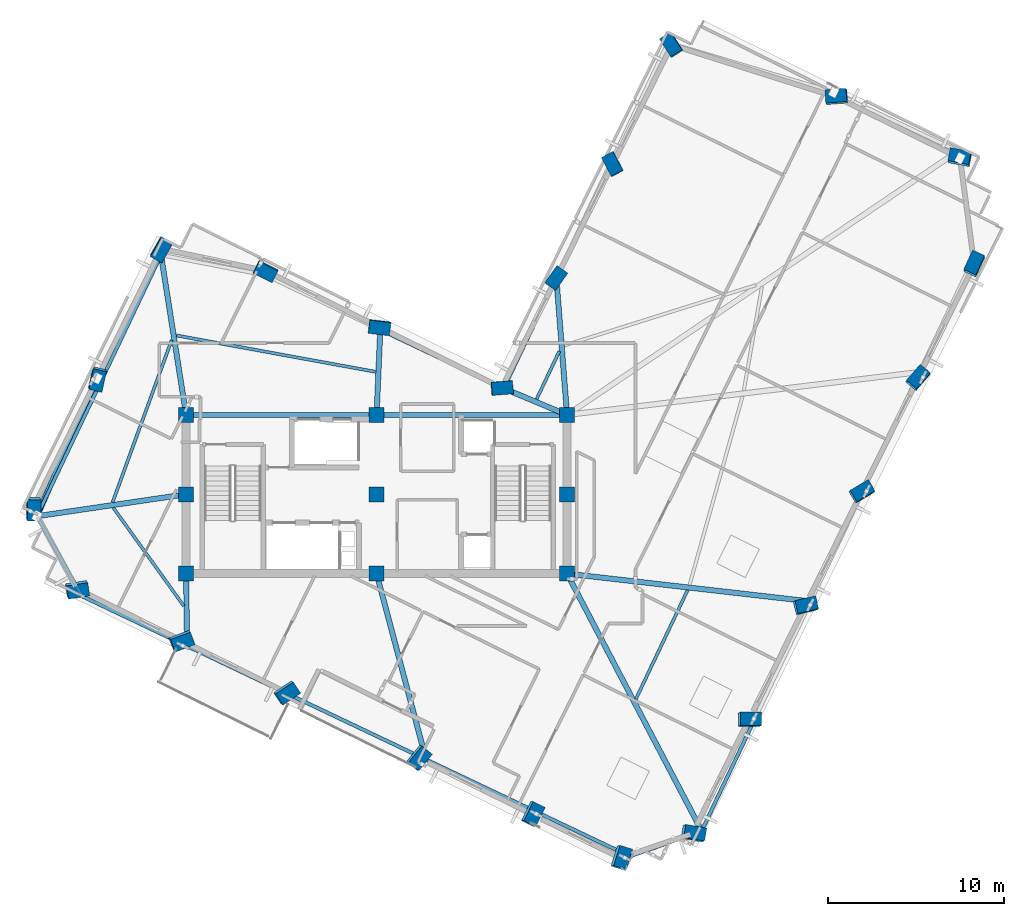
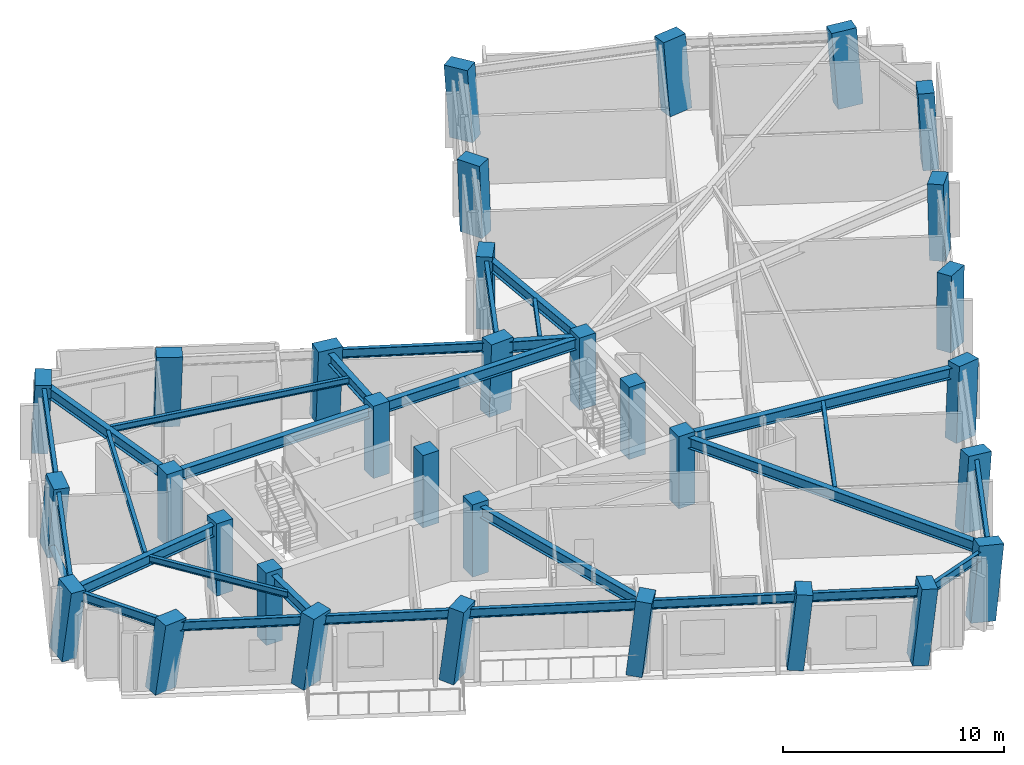
# One storey, part 1 of 11: 32 columns, 28 beams, 1 member.
"""IFC4 building model written with IfcOpenShell, lengths in metres."""

from ifc_helpers import new_model, si_unit, direction, frame, origin, origin_2d, place, context, subcontext, project, spatial, rectangle, hollow_circle, i_section, extrude, material, material_profile, profile_set, type_object, element, save


model = new_model("IFC4")

# Units and contexts
model_context = context("Model", 3, precision=1e-05, world=origin(), true_north=direction((0.0, 1.0)))
body_context = subcontext(model_context, "Body", "Model", "MODEL_VIEW")
ifc_project = project(units=[si_unit("LENGTHUNIT", "METRE"), si_unit("AREAUNIT", "SQUARE_METRE"), si_unit("VOLUMEUNIT", "CUBIC_METRE"), si_unit("PLANEANGLEUNIT", "RADIAN"), si_unit("MASSUNIT", "GRAM", prefix="KILO")], contexts=[model_context])

# Site, building, storey
site_placement = place(None, origin())
site = spatial("IfcSite", under=ifc_project, at=site_placement, CompositionType="ELEMENT")
building_placement = place(site_placement, origin())
building = spatial("IfcBuilding", under=site, at=building_placement, Name="Gaonmaruhae Medical Tower", CompositionType="ELEMENT")
storey_placement = place(building_placement, frame((0.0, 0.0, 296.60009765625)))
storey = spatial("IfcBuildingStorey", under=building, at=storey_placement, Name="L71", CompositionType="ELEMENT", Elevation=296.60009765625)

# Columns
ifc_material_1 = material(Name="Concrete C50/60", Category="concrete")
ifc_material_profile_1 = material_profile(ifc_material_1, rectangle(XDim=0.85009765625, YDim=0.85009765625, at=origin_2d()), Name="RC-850x850")
ifc_profile_set_1 = profile_set([ifc_material_profile_1], Name="Concrete C50/60")
column_type_1 = type_object("IfcColumnType", Name="CC-06 Upper Core Column (RC-850x850)", PredefinedType="COLUMN", material=ifc_profile_set_1)
for number, where, z_axis, x_axis, name in (
    (1, (14.0, 7.800048828125, 0.0), (0.0, 0.0, 1.0), (1.0, 0.0, 0.0), "L71 Plumb Core Column CC11"),
    (2, (14.0, 12.300048828125, 0.0), (0.0, 0.0, 1.0), (1.0, 0.0, 0.0), "L71 Plumb Core Column CC12"),
    (3, (14.0, 16.800048828125, 0.0), (0.0, 0.0, 1.0), (1.0, 0.0, 0.0), "L71 Plumb Core Column CC13"),
    (4, (24.800048828125, 7.800048828125, 0.0), (0.0, 0.0, 1.0), (1.0, 0.0, 0.0), "L71 Plumb Core Column CC21"),
    (5, (24.800048828125, 12.300048828125, 0.0), (0.0, 0.0, 1.0), (1.0, 0.0, 0.0), "L71 Plumb Core Column CC22"),
    (6, (24.800048828125, 16.800048828125, 0.0), (0.0, 0.0, 1.0), (1.0, 0.0, 0.0), "L71 Plumb Core Column CC23"),
    (7, (35.60009765625, 7.800048828125, 0.0), (0.0, 0.0, 1.0), (1.0, 0.0, 0.0), "L71 Plumb Core Column CC31"),
    (8, (35.60009765625, 12.300048828125, 0.0), (0.0, 0.0, 1.0), (1.0, 0.0, 0.0), "L71 Plumb Core Column CC32"),
    (9, (35.60009765625, 16.800048828125, 0.0), (0.0, 0.0, 1.0), (1.0, 0.0, 0.0), "L71 Plumb Core Column CC33"),
):
    element("IfcColumn", number, at=place(storey_placement, frame(where, z_axis=z_axis, x_axis=x_axis)), inside=storey, type_object=column_type_1, Name=name, PredefinedType="COLUMN", context=body_context, shape_type="SweptSolid", body=[
        extrude(rectangle(XDim=0.85009765625, YDim=0.85009765625, at=origin_2d()), origin(), (0.0, 0.0, 1.0), 4.0),
    ])
ifc_material_profile_2 = material_profile(ifc_material_1, rectangle(XDim=1.199951171875, YDim=0.75, at=origin_2d()), Name="RC-1200x750")
ifc_profile_set_2 = profile_set([ifc_material_profile_2], Name="Concrete C50/60")
column_type_2 = type_object("IfcColumnType", Name="TC-03 Upper Raking Tube Pier Column (RC-1200x750)", PredefinedType="COLUMN", material=ifc_profile_set_2)
column_1_placement = place(storey_placement, frame((42.70849609375, -6.9404296875, 0.001708984375), z_axis=(0.130011789179, 0.038495110762, 0.990764886904), x_axis=(-0.977304404482, 0.173531270067, 0.121503083454)))
element("IfcColumn", 10, at=column_1_placement, inside=storey, type_object=column_type_2, Name="L71 Perimeter Tube Column S01", PredefinedType="COLUMN", context=body_context, shape_type="SweptSolid", body=[
    extrude(rectangle(XDim=1.199951171875, YDim=0.75, at=origin_2d()), origin(), (0.0, 0.0, 1.0), 4.03369140625),
])
column_2_placement = place(storey_placement, frame((45.904052734375, -0.488525390625, 0.001708984375), z_axis=(0.103702364506, 0.051517441466, 0.993273261908), x_axis=(-0.994600926073, 0.001506385232, 0.103762848164)))
element("IfcColumn", 11, at=column_2_placement, inside=storey, type_object=column_type_2, Name="L71 Perimeter Tube Column S02", PredefinedType="COLUMN", context=body_context, shape_type="SweptSolid", body=[
    extrude(rectangle(XDim=1.199951171875, YDim=0.75, at=origin_2d()), origin(), (0.0, 0.0, 1.0), 4.0234375),
])
column_3_placement = place(storey_placement, frame((49.099853515625, 5.96337890625, 0.001708984375), z_axis=(0.077131475637, 0.064549745568, 0.99492917628), x_axis=(-0.968577719941, -0.231806306973, 0.090127889585)))
element("IfcColumn", 12, at=column_3_placement, inside=storey, type_object=column_type_2, Name="L71 Perimeter Tube Column S03", PredefinedType="COLUMN", context=body_context, shape_type="SweptSolid", body=[
    extrude(rectangle(XDim=1.199951171875, YDim=0.75, at=origin_2d()), origin(), (0.0, 0.0, 1.0), 4.0166015625),
])
column_4_placement = place(storey_placement, frame((52.29541015625, 12.415283203125, 0.001708984375), z_axis=(0.050487772737, 0.077617347004, 0.995704038481), x_axis=(-0.858579021169, -0.505922543013, 0.082972554979)))
element("IfcColumn", 13, at=column_4_placement, inside=storey, type_object=column_type_2, Name="L71 Perimeter Tube Column S04", PredefinedType="COLUMN", context=body_context, shape_type="SweptSolid", body=[
    extrude(rectangle(XDim=1.199951171875, YDim=0.75, at=origin_2d()), origin(), (0.0, 0.0, 1.0), 4.013671875),
])
column_5_placement = place(storey_placement, frame((55.4912109375, 18.8671875, 0.001708984375), z_axis=(0.023720882044, 0.09056511119, 0.995607995343), x_axis=(-0.655420706242, -0.750590220305, 0.083892902038)))
element("IfcColumn", 14, at=column_5_placement, inside=storey, type_object=column_type_2, Name="L71 Perimeter Tube Column S05", PredefinedType="COLUMN", context=body_context, shape_type="SweptSolid", body=[
    extrude(rectangle(XDim=1.199951171875, YDim=0.75, at=origin_2d()), origin(), (0.0, 0.0, 1.0), 4.013916015625),
])
column_6_placement = place(storey_placement, frame((58.68701171875, 25.319091796875, 0.001708984375), z_axis=(-0.003038161274, 0.103419009772, 0.994633237929), x_axis=(-0.417489626034, -0.903939479428, 0.092713697397)))
element("IfcColumn", 15, at=column_6_placement, inside=storey, type_object=column_type_2, Name="L71 Perimeter Tube Column S06", PredefinedType="COLUMN", context=body_context, shape_type="SweptSolid", body=[
    extrude(rectangle(XDim=1.199951171875, YDim=0.75, at=origin_2d()), origin(), (0.0, 0.0, 1.0), 4.017822265625),
])
column_7_placement = place(storey_placement, frame((57.881591796875, 31.353515625, 0.001708984375), z_axis=(-0.027828879342, 0.099892309253, 0.994609008619), x_axis=(0.981701438256, -0.184780676822, 0.04602594486)))
element("IfcColumn", 16, at=column_7_placement, inside=storey, type_object=column_type_2, Name="L71 Perimeter Tube Column E01", PredefinedType="COLUMN", context=body_context, shape_type="SweptSolid", body=[
    extrude(rectangle(XDim=1.199951171875, YDim=0.75, at=origin_2d()), origin(), (0.0, 0.0, 1.0), 4.01806640625),
])
column_8_placement = place(storey_placement, frame((50.89208984375, 34.815673828125, 0.001708984375), z_axis=(-0.042009013687, 0.071050027497, 0.996587746444), x_axis=(0.996486966579, 0.075309705799, 0.036635688208)))
element("IfcColumn", 17, at=column_8_placement, inside=storey, type_object=column_type_2, Name="L71 Perimeter Tube Column E02", PredefinedType="COLUMN", context=body_context, shape_type="SweptSolid", body=[
    extrude(rectangle(XDim=1.199951171875, YDim=0.75, at=origin_2d()), origin(), (0.0, 0.0, 1.0), 4.010009765625),
])
column_9_placement = place(storey_placement, frame((41.533935546875, 37.77685546875, 0.001708984375), z_axis=(-0.05395846489, 0.032375078934, 0.99801820541), x_axis=(0.538515452043, -0.840726782347, 0.056387812113)))
element("IfcColumn", 18, at=column_9_placement, inside=storey, type_object=column_type_2, Name="L71 Perimeter Tube Column E03", PredefinedType="COLUMN", context=body_context, shape_type="SweptSolid", body=[
    extrude(rectangle(XDim=1.199951171875, YDim=0.75, at=origin_2d()), origin(), (0.0, 0.0, 1.0), 4.00439453125),
])
column_10_placement = place(storey_placement, frame((38.182861328125, 31.01123046875, 0.001708984375), z_axis=(-0.025889385725, 0.018745380702, 0.999489044667), x_axis=(0.465140692043, -0.884773280513, 0.028642253683)))
element("IfcColumn", 19, at=column_10_placement, inside=storey, type_object=column_type_2, Name="L71 Perimeter Tube Column EN01", PredefinedType="COLUMN", context=body_context, shape_type="SweptSolid", body=[
    extrude(rectangle(XDim=1.199951171875, YDim=0.75, at=origin_2d()), origin(), (0.0, 0.0, 1.0), 3.998291015625),
])
column_11_placement = place(storey_placement, frame((34.9873046875, 24.559326171875, 0.001708984375), z_axis=(0.000916350808, 0.005742465065, 0.999983092055), x_axis=(-0.579513539705, -0.814945951315, 0.005210924462)))
element("IfcColumn", 20, at=column_11_placement, inside=storey, type_object=column_type_2, Name="L71 Perimeter Tube Column EN02", PredefinedType="COLUMN", context=body_context, shape_type="SweptSolid", body=[
    extrude(rectangle(XDim=1.199951171875, YDim=0.75, at=origin_2d()), origin(), (0.0, 0.0, 1.0), 3.996337890625),
])
column_12_placement = place(storey_placement, frame((31.902587890625, 18.331298828125, 0.001708984375), z_axis=(0.02686975518, -0.00677850642, 0.99961596031), x_axis=(-0.996576464589, -0.078396106745, 0.026256440624)))
element("IfcColumn", 21, at=column_12_placement, inside=storey, type_object=column_type_2, Name="L71 Perimeter Tube Column KN01", PredefinedType="COLUMN", context=body_context, shape_type="SweptSolid", body=[
    extrude(rectangle(XDim=1.199951171875, YDim=0.75, at=origin_2d()), origin(), (0.0, 0.0, 1.0), 3.997802734375),
])
column_13_placement = place(storey_placement, frame((24.957763671875, 21.771240234375, 0.001708984375), z_axis=(0.012819889626, -0.035712549673, 0.999279872821), x_axis=(-0.993258426214, 0.114691161203, 0.016841505212)))
element("IfcColumn", 22, at=column_13_placement, inside=storey, type_object=column_type_2, Name="L71 Perimeter Tube Column NE01", PredefinedType="COLUMN", context=body_context, shape_type="SweptSolid", body=[
    extrude(rectangle(XDim=1.199951171875, YDim=0.75, at=origin_2d()), origin(), (0.0, 0.0, 1.0), 3.999267578125),
])
column_14_placement = place(storey_placement, frame((18.505859375, 24.966796875, 0.001708984375), z_axis=(-0.000182915695, -0.062435223748, 0.998049001491), x_axis=(-0.894797781835, 0.445610775748, 0.027712202396)))
element("IfcColumn", 23, at=column_14_placement, inside=storey, type_object=column_type_2, Name="L71 Perimeter Tube Column NE02", PredefinedType="COLUMN", context=body_context, shape_type="SweptSolid", body=[
    extrude(rectangle(XDim=1.199951171875, YDim=0.75, at=origin_2d()), origin(), (0.0, 0.0, 1.0), 4.004150390625),
])
column_15_placement = place(storey_placement, frame((12.597900390625, 26.21923828125, 0.001708984375), z_axis=(-0.005173080286, -0.086786029269, 0.996213543556), x_axis=(0.496184468369, 0.864714681818, 0.077906947039)))
element("IfcColumn", 24, at=column_15_placement, inside=storey, type_object=column_type_2, Name="L71 Perimeter Tube Column N01", PredefinedType="COLUMN", context=body_context, shape_type="SweptSolid", body=[
    extrude(rectangle(XDim=1.199951171875, YDim=0.75, at=origin_2d()), origin(), (0.0, 0.0, 1.0), 4.011474609375),
])
column_16_placement = place(storey_placement, frame((8.958251953125, 18.87109375, 0.001708984375), z_axis=(0.025274890119, -0.101342588264, 0.994530471998), x_axis=(0.215002324818, 0.972118317881, 0.093594745379)))
element("IfcColumn", 25, at=column_16_placement, inside=storey, type_object=column_type_2, Name="L71 Perimeter Tube Column N02", PredefinedType="COLUMN", context=body_context, shape_type="SweptSolid", body=[
    extrude(rectangle(XDim=1.199951171875, YDim=0.75, at=origin_2d()), origin(), (0.0, 0.0, 1.0), 4.018310546875),
])
column_17_placement = place(storey_placement, frame((5.31884765625, 11.523193359375, 0.001708984375), z_axis=(0.055495895792, -0.115838594711, 0.991716504615), x_axis=(0.016329389577, 0.993219639366, 0.115100386683)))
element("IfcColumn", 26, at=column_17_placement, inside=storey, type_object=column_type_2, Name="L71 Perimeter Tube Column N03", PredefinedType="COLUMN", context=body_context, shape_type="SweptSolid", body=[
    extrude(rectangle(XDim=1.199951171875, YDim=0.75, at=origin_2d()), origin(), (0.0, 0.0, 1.0), 4.02978515625),
])
column_18_placement = place(storey_placement, frame((7.795654296875, 6.948486328125, 0.001708984375), z_axis=(0.074271893377, -0.105470935048, 0.991644879841), x_axis=(-0.986085355278, -0.156068608099, 0.057256105985)))
element("IfcColumn", 27, at=column_18_placement, inside=storey, type_object=column_type_2, Name="L71 Perimeter Tube Column W01", PredefinedType="COLUMN", context=body_context, shape_type="SweptSolid", body=[
    extrude(rectangle(XDim=1.199951171875, YDim=0.75, at=origin_2d()), origin(), (0.0, 0.0, 1.0), 4.030029296875),
])
column_19_placement = place(storey_placement, frame((13.7099609375, 4.01904296875, 0.001708984375), z_axis=(0.086199825799, -0.081164930977, 0.992966184727), x_axis=(-0.935172397804, -0.350272648593, 0.052551479838)))
element("IfcColumn", 28, at=column_19_placement, inside=storey, type_object=column_type_2, Name="L71 Perimeter Tube Column W02", PredefinedType="COLUMN", context=body_context, shape_type="SweptSolid", body=[
    extrude(rectangle(XDim=1.199951171875, YDim=0.75, at=origin_2d()), origin(), (0.0, 0.0, 1.0), 4.024658203125),
])
column_20_placement = place(storey_placement, frame((19.6689453125, 1.0673828125, 0.001708984375), z_axis=(0.098208825475, -0.056509528132, 0.993560113848), x_axis=(-0.829149129966, -0.55676072121, 0.05029134711)))
element("IfcColumn", 29, at=column_20_placement, inside=storey, type_object=column_type_2, Name="L71 Perimeter Tube Column W03", PredefinedType="COLUMN", context=body_context, shape_type="SweptSolid", body=[
    extrude(rectangle(XDim=1.199951171875, YDim=0.75, at=origin_2d()), origin(), (0.0, 0.0, 1.0), 4.022216796875),
])
column_21_placement = place(storey_placement, frame((27.1513671875, -2.638671875, 0.001708984375), z_axis=(0.113225278577, -0.02560614553, 0.993239327454), x_axis=(-0.627656906058, -0.776783128908, 0.051524546784)))
element("IfcColumn", 30, at=column_21_placement, inside=storey, type_object=column_type_2, Name="L71 Perimeter Tube Column W04", PredefinedType="COLUMN", context=body_context, shape_type="SweptSolid", body=[
    extrude(rectangle(XDim=1.199951171875, YDim=0.75, at=origin_2d()), origin(), (0.0, 0.0, 1.0), 4.0234375),
])
column_22_placement = place(storey_placement, frame((33.603515625, -5.834228515625, 0.001708984375), z_axis=(0.125936495005, 0.001030279314, 0.992037770325), x_axis=(-0.432973864301, -0.899671557613, 0.055899206213)))
element("IfcColumn", 31, at=column_22_placement, inside=storey, type_object=column_type_2, Name="L71 Perimeter Tube Column W05", PredefinedType="COLUMN", context=body_context, shape_type="SweptSolid", body=[
    extrude(rectangle(XDim=1.199951171875, YDim=0.75, at=origin_2d()), origin(), (0.0, 0.0, 1.0), 4.0283203125),
])
column_23_placement = place(storey_placement, frame((38.62158203125, -8.31982421875, 0.001708984375), z_axis=(0.13578605849, 0.02172334893, 0.990499996179), x_axis=(-0.292556572879, -0.954298338964, 0.061035497173)))
element("IfcColumn", 32, at=column_23_placement, inside=storey, type_object=column_type_2, Name="L71 Perimeter Tube Column W06", PredefinedType="COLUMN", context=body_context, shape_type="SweptSolid", body=[
    extrude(rectangle(XDim=1.199951171875, YDim=0.75, at=origin_2d()), origin(), (0.0, 0.0, 1.0), 4.03466796875),
])

# Beams
ifc_material_2 = material(Name="Steel SM355", Category="steel")
ifc_material_profile_3 = material_profile(ifc_material_2, i_section(OverallWidth=0.175048828125, OverallDepth=0.35009765625, WebThickness=0.007080078125, FlangeThickness=0.010986328125, FilletRadius=0.012939453125, at=origin_2d()), Name="H-350x175x7x11")
ifc_profile_set_3 = profile_set([ifc_material_profile_3], Name="Steel SM355")
beam_type_1 = type_object("IfcBeamType", Name="FJ-02 Upper Zone Ward Floor Joist (H-350x175x7x11)", PredefinedType="JOIST", material=ifc_profile_set_3)
beam_1_placement = place(storey_placement, frame((39.499755859375, 0.682373046875, 3.60498046875), z_axis=(0.428922153048, 0.903341456275, 0.0), x_axis=(-0.903341456275, 0.428922153048, 0.0)))
element("IfcBeam", 33, at=beam_1_placement, inside=storey, type_object=beam_type_1, Name="L71 Secondary Floor Joist FJ01", PredefinedType="JOIST", context=body_context, shape_type="SweptSolid", body=[
    extrude(i_section(OverallWidth=0.175048828125, OverallDepth=0.35009765625, WebThickness=0.007080078125, FlangeThickness=0.010986328125, FilletRadius=0.012939453125, at=origin_2d()), origin(), (0.0, 0.0, 1.0), 6.841796875),
])
beam_2_placement = place(storey_placement, frame((35.163818359375, 20.413818359375, 3.60498046875), z_axis=(-0.428898073942, -0.903352889058, 0.0), x_axis=(0.903352889058, -0.428898073942, 0.0)))
element("IfcBeam", 34, at=beam_2_placement, inside=storey, type_object=beam_type_1, Name="L71 Secondary Floor Joist FJ05", PredefinedType="JOIST", context=body_context, shape_type="SweptSolid", body=[
    extrude(i_section(OverallWidth=0.175048828125, OverallDepth=0.35009765625, WebThickness=0.007080078125, FlangeThickness=0.010986328125, FilletRadius=0.012939453125, at=origin_2d()), origin(), (0.0, 0.0, 1.0), 3.01171875),
])
beam_3_placement = place(storey_placement, frame((24.749755859375, 19.242431640625, 3.60498046875), z_axis=(-0.983729488464, 0.179656042275, 0.0), x_axis=(-0.179656042275, -0.983729488464, 0.0)))
element("IfcBeam", 35, at=beam_3_placement, inside=storey, type_object=beam_type_1, Name="L71 Secondary Floor Joist FJ07", PredefinedType="JOIST", context=body_context, shape_type="SweptSolid", body=[
    extrude(i_section(OverallWidth=0.175048828125, OverallDepth=0.35009765625, WebThickness=0.007080078125, FlangeThickness=0.010986328125, FilletRadius=0.012939453125, at=origin_2d()), origin(), (0.0, 0.0, 1.0), 11.485595703125),
])
beam_4_placement = place(storey_placement, frame((13.180419921875, 21.03857421875, 3.60498046875), z_axis=(-0.342207774616, -0.939624307366, 0.0), x_axis=(0.939624307366, -0.342207774616, 0.0)))
element("IfcBeam", 36, at=beam_4_placement, inside=storey, type_object=beam_type_1, Name="L71 Secondary Floor Joist FJ08", PredefinedType="JOIST", context=body_context, shape_type="SweptSolid", body=[
    extrude(i_section(OverallWidth=0.175048828125, OverallDepth=0.35009765625, WebThickness=0.007080078125, FlangeThickness=0.010986328125, FilletRadius=0.012939453125, at=origin_2d()), origin(), (0.0, 0.0, 1.0), 9.785400390625),
])
beam_5_placement = place(storey_placement, frame((9.873291015625, 11.5361328125, 3.60498046875), z_axis=(0.583048367827, -0.812437444222, 0.0), x_axis=(0.812437444222, 0.583048367827, 0.0)))
element("IfcBeam", 37, at=beam_5_placement, inside=storey, type_object=beam_type_1, Name="L71 Secondary Floor Joist FJ09", PredefinedType="JOIST", context=body_context, shape_type="SweptSolid", body=[
    extrude(i_section(OverallWidth=0.175048828125, OverallDepth=0.35009765625, WebThickness=0.007080078125, FlangeThickness=0.010986328125, FilletRadius=0.012939453125, at=origin_2d()), origin(), (0.0, 0.0, 1.0), 6.8583984375),
])

# Member
ifc_material_profile_4 = material_profile(ifc_material_2, hollow_circle(Radius=0.1591796875, WallThickness=0.01025390625, at=origin_2d()), Name="CHS-318.5x10.3")
ifc_profile_set_4 = profile_set([ifc_material_profile_4], Name="Steel SM355")
member_type = type_object("IfcMemberType", Name="PB-03 Perimeter Solid-Bay Tube Brace Upper (CHS-318.5x10.3)", PredefinedType="BRACE", material=ifc_profile_set_4)
member_placement = place(storey_placement, frame((8.958251953125, 18.871337890625, 0.25), z_axis=(-0.373778810347, -0.855256147106, 0.358923841187), x_axis=(0.916312966684, -0.400462915995, 0.0)))
element("IfcMember", 38, at=member_placement, inside=storey, type_object=member_type, Name="L71 Perimeter Tube Solid-Bay Brace N02-N03", PredefinedType="BRACE", context=body_context, shape_type="SweptSolid", body=[
    extrude(hollow_circle(Radius=0.1591796875, WallThickness=0.01025390625, at=origin_2d()), origin(), (0.0, 0.0, 1.0), 9.137939453125),
])

# Beams
ifc_material_3 = material(Name="Steel SM420", Category="steel")
ifc_material_profile_5 = material_profile(ifc_material_3, i_section(OverallWidth=0.300048828125, OverallDepth=0.60009765625, WebThickness=0.011962890625, FlangeThickness=0.02001953125, FilletRadius=0.012939453125, at=origin_2d()), Name="H-600x300x12x20")
ifc_profile_set_5 = profile_set([ifc_material_profile_5], Name="Steel SM420")
beam_type_2 = type_object("IfcBeamType", Name="PG-04 Zone 4 Radial Floor Girder (H-600x300x12x20)", PredefinedType="BEAM", material=ifc_profile_set_5)
for number, where, z_axis, x_axis, name in (
    (39, (14.050048828125, 16.800048828125, 3.47998046875), (1.0, 0.0, 0.0), (0.0, 1.0, 0.0), "L71 Beam BM-L71-CG-N1"),
    (40, (24.85009765625, 16.800048828125, 3.47998046875), (1.0, 0.0, 0.0), (0.0, 1.0, 0.0), "L71 Beam BM-L71-CG-N2"),
):
    element("IfcBeam", number, at=place(storey_placement, frame(where, z_axis=z_axis, x_axis=x_axis)), inside=storey, type_object=beam_type_2, Name=name, PredefinedType="BEAM", context=body_context, shape_type="SweptSolid", body=[
        extrude(i_section(OverallWidth=0.300048828125, OverallDepth=0.60009765625, WebThickness=0.011962890625, FlangeThickness=0.02001953125, FilletRadius=0.012939453125, at=origin_2d()), origin(), (0.0, 0.0, 1.0), 10.699951171875),
    ])
beam_6_placement = place(storey_placement, frame((35.623291015625, 7.755615234375, 3.47998046875), z_axis=(0.463681905665, -0.886001743993, 0.0), x_axis=(0.886001743993, 0.463681905665, 0.0)))
element("IfcBeam", 41, at=beam_6_placement, inside=storey, type_object=beam_type_2, Name="L71 Radial Primary Girder S01", PredefinedType="BEAM", context=body_context, shape_type="SweptSolid", body=[
    extrude(i_section(OverallWidth=0.300048828125, OverallDepth=0.60009765625, WebThickness=0.011962890625, FlangeThickness=0.02001953125, FilletRadius=0.012939453125, at=origin_2d()), origin(), (0.0, 0.0, 1.0), 16.36181640625),
])
beam_7_placement = place(storey_placement, frame((35.649658203125, 7.79443359375, 3.47998046875), z_axis=(0.993540767624, -0.113475737803, 0.0), x_axis=(0.113475737803, 0.993540767624, 0.0)))
element("IfcBeam", 42, at=beam_7_placement, inside=storey, type_object=beam_type_2, Name="L71 Radial Primary Girder S03", PredefinedType="BEAM", context=body_context, shape_type="SweptSolid", body=[
    extrude(i_section(OverallWidth=0.300048828125, OverallDepth=0.60009765625, WebThickness=0.011962890625, FlangeThickness=0.02001953125, FilletRadius=0.012939453125, at=origin_2d()), origin(), (0.0, 0.0, 1.0), 13.799560546875),
])
beam_8_placement = place(storey_placement, frame((35.59619140625, 16.849853515625, 3.47998046875), z_axis=(-0.078031336071, 0.996950906811, 0.0), x_axis=(-0.996950906811, -0.078031336071, 0.0)))
element("IfcBeam", 43, at=beam_8_placement, inside=storey, type_object=beam_type_2, Name="L71 Radial Primary Girder EN02", PredefinedType="BEAM", context=body_context, shape_type="SweptSolid", body=[
    extrude(i_section(OverallWidth=0.300048828125, OverallDepth=0.60009765625, WebThickness=0.011962890625, FlangeThickness=0.02001953125, FilletRadius=0.012939453125, at=origin_2d()), origin(), (0.0, 0.0, 1.0), 7.7060546875),
])
beam_9_placement = place(storey_placement, frame((35.553955078125, 16.8193359375, 3.47998046875), z_axis=(-0.922334299428, 0.386392857204, 0.0), x_axis=(-0.386392857204, -0.922334299428, 0.0)))
element("IfcBeam", 44, at=beam_9_placement, inside=storey, type_object=beam_type_2, Name="L71 Radial Primary Girder KN01", PredefinedType="BEAM", context=body_context, shape_type="SweptSolid", body=[
    extrude(i_section(OverallWidth=0.300048828125, OverallDepth=0.60009765625, WebThickness=0.011962890625, FlangeThickness=0.02001953125, FilletRadius=0.012939453125, at=origin_2d()), origin(), (0.0, 0.0, 1.0), 3.792236328125),
])
beam_10_placement = place(storey_placement, frame((24.80224609375, 16.849853515625, 3.47998046875), z_axis=(0.043278289132, 0.999063055913, 0.0), x_axis=(-0.999063055913, 0.043278289132, 0.0)))
element("IfcBeam", 45, at=beam_10_placement, inside=storey, type_object=beam_type_2, Name="L71 Radial Primary Girder NE01", PredefinedType="BEAM", context=body_context, shape_type="SweptSolid", body=[
    extrude(i_section(OverallWidth=0.300048828125, OverallDepth=0.60009765625, WebThickness=0.011962890625, FlangeThickness=0.02001953125, FilletRadius=0.012939453125, at=origin_2d()), origin(), (0.0, 0.0, 1.0), 4.73291015625),
])
beam_11_placement = place(storey_placement, frame((13.9921875, 16.849365234375, 3.47998046875), z_axis=(-0.154949248819, 0.987922431313, 0.0), x_axis=(-0.987922431313, -0.154949248819, 0.0)))
element("IfcBeam", 46, at=beam_11_placement, inside=storey, type_object=beam_type_2, Name="L71 Radial Primary Girder N01", PredefinedType="BEAM", context=body_context, shape_type="SweptSolid", body=[
    extrude(i_section(OverallWidth=0.300048828125, OverallDepth=0.60009765625, WebThickness=0.011962890625, FlangeThickness=0.02001953125, FilletRadius=0.012939453125, at=origin_2d()), origin(), (0.0, 0.0, 1.0), 9.081787109375),
])
beam_12_placement = place(storey_placement, frame((13.950439453125, 12.292724609375, 3.47998046875), z_axis=(-0.989357911868, -0.145502310032, 0.0), x_axis=(0.145502310032, -0.989357911868, 0.0)))
element("IfcBeam", 47, at=beam_12_placement, inside=storey, type_object=beam_type_2, Name="L71 Radial Primary Girder N03", PredefinedType="BEAM", context=body_context, shape_type="SweptSolid", body=[
    extrude(i_section(OverallWidth=0.300048828125, OverallDepth=0.60009765625, WebThickness=0.011962890625, FlangeThickness=0.02001953125, FilletRadius=0.012939453125, at=origin_2d()), origin(), (0.0, 0.0, 1.0), 8.4482421875),
])
beam_13_placement = place(storey_placement, frame((14.000732421875, 7.75, 3.47998046875), z_axis=(0.013887549491, -0.999903563335, 0.0), x_axis=(0.999903563335, 0.013887549491, 0.0)))
element("IfcBeam", 48, at=beam_13_placement, inside=storey, type_object=beam_type_2, Name="L71 Radial Primary Girder W02", PredefinedType="BEAM", context=body_context, shape_type="SweptSolid", body=[
    extrude(i_section(OverallWidth=0.300048828125, OverallDepth=0.60009765625, WebThickness=0.011962890625, FlangeThickness=0.02001953125, FilletRadius=0.012939453125, at=origin_2d()), origin(), (0.0, 0.0, 1.0), 4.00830078125),
])
beam_14_placement = place(storey_placement, frame((24.812744140625, 7.751708984375, 3.4599609375), z_axis=(0.257329459041, -0.966323729145, 0.0), x_axis=(0.966323729145, 0.257329459041, 0.0)))
element("IfcBeam", 49, at=beam_14_placement, inside=storey, type_object=beam_type_2, Name="L71 Radial Primary Girder W04", PredefinedType="BEAM", context=body_context, shape_type="SweptSolid", body=[
    extrude(i_section(OverallWidth=0.300048828125, OverallDepth=0.60009765625, WebThickness=0.011962890625, FlangeThickness=0.02001953125, FilletRadius=0.012939453125, at=origin_2d()), origin(), (0.0, 0.0, 1.0), 10.80908203125),
])
ifc_material_profile_6 = material_profile(ifc_material_2, i_section(OverallWidth=0.199951171875, OverallDepth=0.5, WebThickness=0.010009765625, FlangeThickness=0.01611328125, FilletRadius=0.012939453125, at=origin_2d()), Name="H-500x200x10x16")
ifc_profile_set_6 = profile_set([ifc_material_profile_6], Name="Steel SM355")
beam_type_3 = type_object("IfcBeamType", Name="SP-02 Upper Perimeter Spandrel Beam (H-500x200x10x16)", PredefinedType="SPANDREL", material=ifc_profile_set_6)
beam_15_placement = place(storey_placement, frame((43.250244140625, -6.7490234375, 3.52978515625), z_axis=(0.428961689854, 0.903322682455, 0.0), x_axis=(-0.903322682455, 0.428961689854, 0.0)))
element("IfcBeam", 50, at=beam_15_placement, inside=storey, type_object=beam_type_3, Name="L71 Perimeter Spandrel Beam S01-S02", PredefinedType="SPANDREL", context=body_context, shape_type="SweptSolid", body=[
    extrude(i_section(OverallWidth=0.199951171875, OverallDepth=0.5, WebThickness=0.010009765625, FlangeThickness=0.01611328125, FilletRadius=0.012939453125, at=origin_2d()), origin(), (0.0, 0.0, 1.0), 7.119873046875),
])
beam_16_placement = place(storey_placement, frame((34.973876953125, 24.546142578125, 3.52978515625), z_axis=(-0.428940103785, -0.903332932736, 0.0), x_axis=(0.903332932736, -0.428940103785, 0.0)))
element("IfcBeam", 51, at=beam_16_placement, inside=storey, type_object=beam_type_3, Name="L71 Perimeter Spandrel Beam EN02-KN01", PredefinedType="SPANDREL", context=body_context, shape_type="SweptSolid", body=[
    extrude(i_section(OverallWidth=0.199951171875, OverallDepth=0.5, WebThickness=0.010009765625, FlangeThickness=0.01611328125, FilletRadius=0.012939453125, at=origin_2d()), origin(), (0.0, 0.0, 1.0), 6.869873046875),
])
beam_17_placement = place(storey_placement, frame((31.973876953125, 18.3212890625, 3.52978515625), z_axis=(-0.903345341538, 0.428913970304, 0.0), x_axis=(-0.428913970304, -0.903345341538, 0.0)))
element("IfcBeam", 52, at=beam_17_placement, inside=storey, type_object=beam_type_3, Name="L71 Perimeter Spandrel Beam KN01-NE01", PredefinedType="SPANDREL", context=body_context, shape_type="SweptSolid", body=[
    extrude(i_section(OverallWidth=0.199951171875, OverallDepth=0.5, WebThickness=0.010009765625, FlangeThickness=0.01611328125, FilletRadius=0.012939453125, at=origin_2d()), origin(), (0.0, 0.0, 1.0), 7.670166015625),
])
beam_18_placement = place(storey_placement, frame((12.56005859375, 25.834716796875, 3.52978515625), z_axis=(-0.42893660388, -0.903334594628, 0.0), x_axis=(0.903334594628, -0.42893660388, 0.0)))
element("IfcBeam", 53, at=beam_18_placement, inside=storey, type_object=beam_type_3, Name="L71 Perimeter Spandrel Beam N01-N02", PredefinedType="SPANDREL", context=body_context, shape_type="SweptSolid", body=[
    extrude(i_section(OverallWidth=0.199951171875, OverallDepth=0.5, WebThickness=0.010009765625, FlangeThickness=0.01611328125, FilletRadius=0.012939453125, at=origin_2d()), origin(), (0.0, 0.0, 1.0), 8.119873046875),
])
beam_19_placement = place(storey_placement, frame((9.042724609375, 18.427490234375, 3.52978515625), z_axis=(-0.42892495398, -0.903340126338, 0.0), x_axis=(0.903340126338, -0.42892495398, 0.0)))
element("IfcBeam", 54, at=beam_19_placement, inside=storey, type_object=beam_type_3, Name="L71 Perimeter Spandrel Beam N02-N03", PredefinedType="SPANDREL", context=body_context, shape_type="SweptSolid", body=[
    extrude(i_section(OverallWidth=0.199951171875, OverallDepth=0.5, WebThickness=0.010009765625, FlangeThickness=0.01611328125, FilletRadius=0.012939453125, at=origin_2d()), origin(), (0.0, 0.0, 1.0), 8.1201171875),
])
beam_20_placement = place(storey_placement, frame((5.562255859375, 11.021484375, 3.52978515625), z_axis=(0.49063683611, -0.871364157544, 0.0), x_axis=(0.871364157544, 0.49063683611, 0.0)))
element("IfcBeam", 55, at=beam_20_placement, inside=storey, type_object=beam_type_3, Name="L71 Perimeter Spandrel Beam N03-W01", PredefinedType="SPANDREL", context=body_context, shape_type="SweptSolid", body=[
    extrude(i_section(OverallWidth=0.199951171875, OverallDepth=0.5, WebThickness=0.010009765625, FlangeThickness=0.01611328125, FilletRadius=0.012939453125, at=origin_2d()), origin(), (0.0, 0.0, 1.0), 5.122314453125),
])
beam_21_placement = place(storey_placement, frame((8.131103515625, 6.506103515625, 3.52978515625), z_axis=(0.90334098346, -0.42892314883, 0.0), x_axis=(0.42892314883, 0.90334098346, 0.0)))
element("IfcBeam", 56, at=beam_21_placement, inside=storey, type_object=beam_type_3, Name="L71 Perimeter Spandrel Beam W01-W02", PredefinedType="SPANDREL", context=body_context, shape_type="SweptSolid", body=[
    extrude(i_section(OverallWidth=0.199951171875, OverallDepth=0.5, WebThickness=0.010009765625, FlangeThickness=0.01611328125, FilletRadius=0.012939453125, at=origin_2d()), origin(), (0.0, 0.0, 1.0), 6.52001953125),
])
beam_22_placement = place(storey_placement, frame((14.09326171875, 3.675048828125, 3.510009765625), z_axis=(0.90333186383, -0.428942354856, 0.0), x_axis=(0.428942354856, 0.90333186383, 0.0)))
element("IfcBeam", 57, at=beam_22_placement, inside=storey, type_object=beam_type_3, Name="L71 Perimeter Spandrel Beam W02-W03", PredefinedType="SPANDREL", context=body_context, shape_type="SweptSolid", body=[
    extrude(i_section(OverallWidth=0.199951171875, OverallDepth=0.5, WebThickness=0.010009765625, FlangeThickness=0.01611328125, FilletRadius=0.012939453125, at=origin_2d()), origin(), (0.0, 0.0, 1.0), 6.56982421875),
])
beam_23_placement = place(storey_placement, frame((20.100341796875, 0.82275390625, 3.510009765625), z_axis=(0.903334701231, -0.428936379375, 0.0), x_axis=(0.428936379375, 0.903334701231, 0.0)))
element("IfcBeam", 58, at=beam_23_placement, inside=storey, type_object=beam_type_3, Name="L71 Perimeter Spandrel Beam W03-W04", PredefinedType="SPANDREL", context=body_context, shape_type="SweptSolid", body=[
    extrude(i_section(OverallWidth=0.199951171875, OverallDepth=0.5, WebThickness=0.010009765625, FlangeThickness=0.01611328125, FilletRadius=0.012939453125, at=origin_2d()), origin(), (0.0, 0.0, 1.0), 8.27001953125),
])
beam_24_placement = place(storey_placement, frame((27.643310546875, -2.7587890625, 3.52978515625), z_axis=(0.903322682455, -0.428961689854, 0.0), x_axis=(0.428961689854, 0.903322682455, 0.0)))
element("IfcBeam", 59, at=beam_24_placement, inside=storey, type_object=beam_type_3, Name="L71 Perimeter Spandrel Beam W04-W05", PredefinedType="SPANDREL", context=body_context, shape_type="SweptSolid", body=[
    extrude(i_section(OverallWidth=0.199951171875, OverallDepth=0.5, WebThickness=0.010009765625, FlangeThickness=0.01611328125, FilletRadius=0.012939453125, at=origin_2d()), origin(), (0.0, 0.0, 1.0), 7.119873046875),
])
beam_25_placement = place(storey_placement, frame((34.147216796875, -5.84716796875, 3.52978515625), z_axis=(0.903335776529, -0.428934114805, 0.0), x_axis=(0.428934114805, 0.903335776529, 0.0)))
element("IfcBeam", 60, at=beam_25_placement, inside=storey, type_object=beam_type_3, Name="L71 Perimeter Spandrel Beam W05-W06", PredefinedType="SPANDREL", context=body_context, shape_type="SweptSolid", body=[
    extrude(i_section(OverallWidth=0.199951171875, OverallDepth=0.5, WebThickness=0.010009765625, FlangeThickness=0.01611328125, FilletRadius=0.012939453125, at=origin_2d()), origin(), (0.0, 0.0, 1.0), 5.52001953125),
])
beam_26_placement = place(storey_placement, frame((39.20751953125, -8.21875, 3.52978515625), z_axis=(0.942050743289, 0.335470411614, 0.0), x_axis=(-0.335470411614, 0.942050743289, 0.0)))
element("IfcBeam", 61, at=beam_26_placement, inside=storey, type_object=beam_type_3, Name="L71 Perimeter Spandrel Beam W06-S01", PredefinedType="SPANDREL", context=body_context, shape_type="SweptSolid", body=[
    extrude(i_section(OverallWidth=0.199951171875, OverallDepth=0.5, WebThickness=0.010009765625, FlangeThickness=0.01611328125, FilletRadius=0.012939453125, at=origin_2d()), origin(), (0.0, 0.0, 1.0), 4.2333984375),
])

save(model, "model.ifc")
